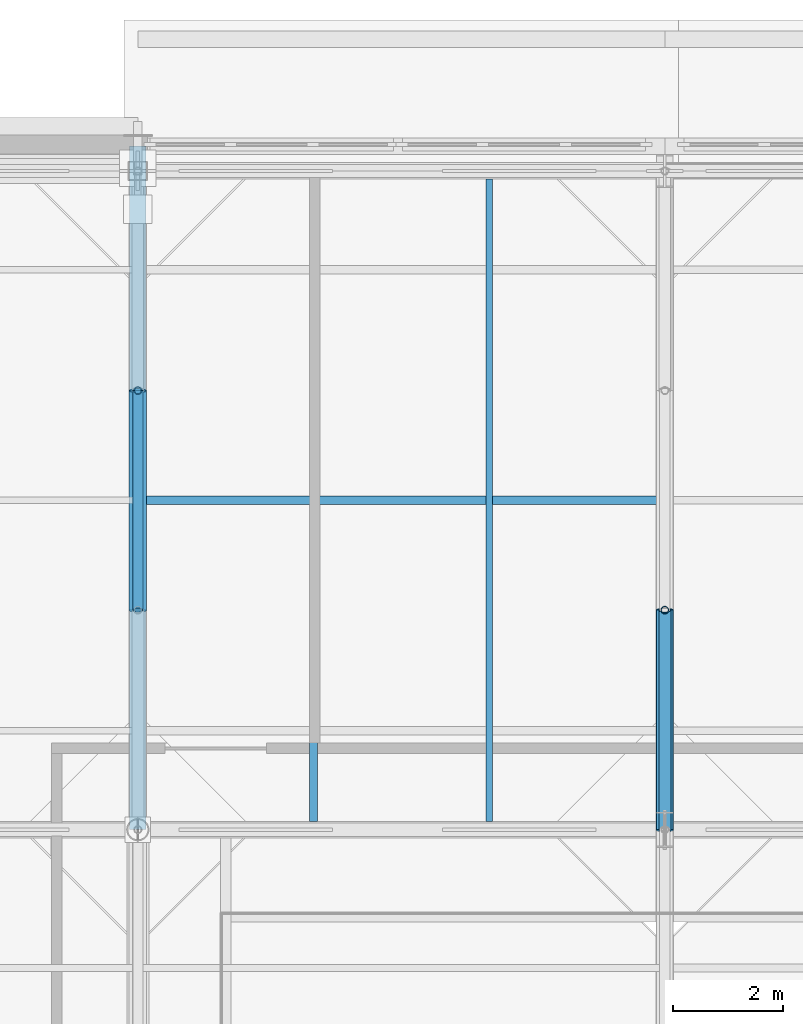
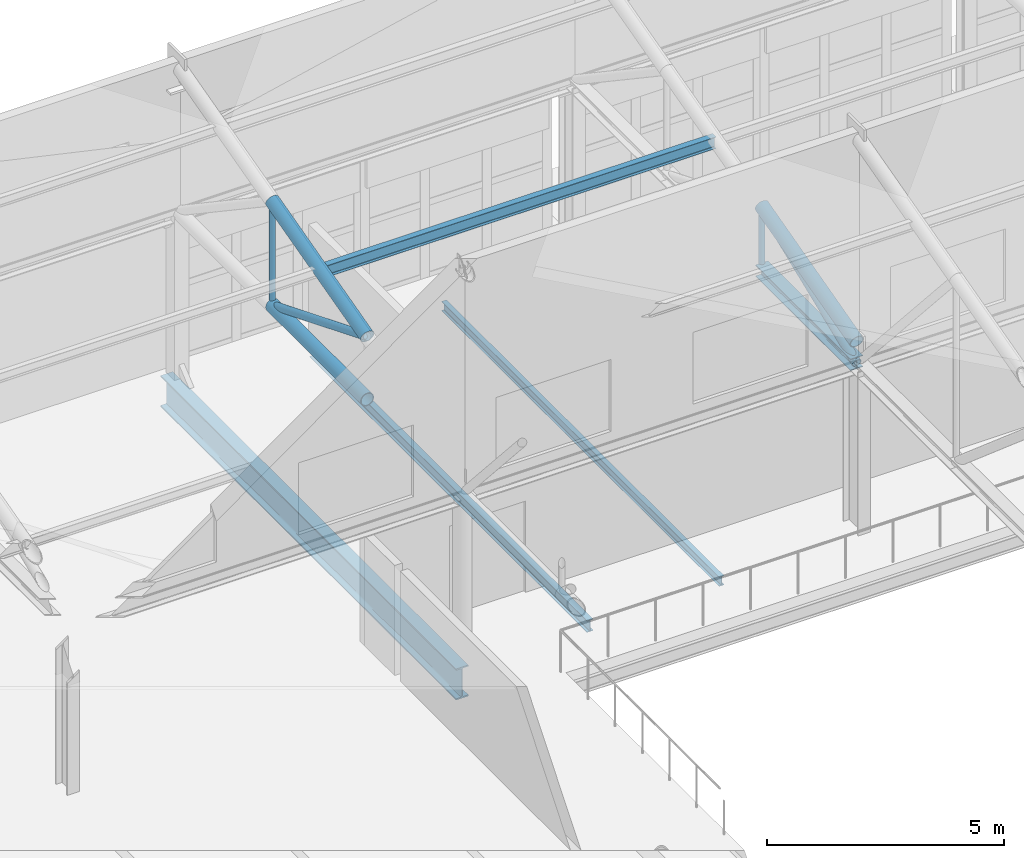
# One storey, part 38 of 89: 9 members, 3 beams.
"""IFC4 building model written with IfcOpenShell, lengths in metres."""

from ifc_helpers import new_model, si_unit, direction, frame, origin, origin_2d, place, context, subcontext, project, spatial, hollow_circle, i_section, extrude, material, material_profile, profile_set, type_object, element, save


model = new_model("IFC4")

# Units and contexts
model_context = context("Model", 3, precision=1e-05, world=origin(), true_north=direction((0.0, 1.0)))
body_context = subcontext(model_context, "Body", "Model", "MODEL_VIEW")
ifc_project = project(units=[si_unit("LENGTHUNIT", "METRE"), si_unit("AREAUNIT", "SQUARE_METRE"), si_unit("VOLUMEUNIT", "CUBIC_METRE"), si_unit("PLANEANGLEUNIT", "RADIAN"), si_unit("MASSUNIT", "GRAM", prefix="KILO")], contexts=[model_context])

# Site, building, storey
site_placement = place(None, origin())
site = spatial("IfcSite", under=ifc_project, at=site_placement, CompositionType="ELEMENT")
building_placement = place(site_placement, origin())
building = spatial("IfcBuilding", under=site, at=building_placement, Name="Zereglee Splitstone Museum", CompositionType="ELEMENT")
storey_placement = place(building_placement, frame((0.0, 0.0, 21.300048828125)))
storey = spatial("IfcBuildingStorey", under=building, at=storey_placement, Name="L04", CompositionType="ELEMENT", Elevation=21.300048828125)

# Members
ifc_material_1 = material(Name="Steel S355J2H", Category="steel")
ifc_material_profile_1 = material_profile(ifc_material_1, hollow_circle(Radius=0.096923828125, WallThickness=0.010009765625, at=origin_2d()), Name="CHS 193.7x10")
ifc_profile_set_1 = profile_set([ifc_material_profile_1], Name="Steel S355J2H")
member_type_1 = type_object("IfcMemberType", Name="TB-04", PredefinedType="BRACE", material=ifc_profile_set_1)
member_1_placement = place(storey_placement, frame((97.199951171875, 46.39990234375, 4.199951171875), z_axis=(0.0, -0.927136001435, 0.374725012299), x_axis=(1.0, 0.0, 0.0)))
element("IfcMember", 1, at=member_1_placement, inside=storey, type_object=member_type_1, Name="Roof Truss ST-03 Diagonal 3.2", PredefinedType="BRACE", context=body_context, shape_type="SweptSolid", body=[
    extrude(hollow_circle(Radius=0.096923828125, WallThickness=0.010009765625, at=origin_2d()), origin(), (0.0, 0.0, 1.0), 4.314453125),
])
ifc_material_profile_2 = material_profile(ifc_material_1, hollow_circle(Radius=0.109619140625, WallThickness=0.010009765625, at=origin_2d()), Name="CHS 219.1x10")
ifc_profile_set_2 = profile_set([ifc_material_profile_2], Name="Steel S355J2H")
member_type_2 = type_object("IfcMemberType", Name="TB-03", PredefinedType="BRACE", material=ifc_profile_set_2)
member_2_placement = place(storey_placement, frame((106.800048828125, 38.39990234375, 4.199951171875), z_axis=(0.0, 0.927136001435, 0.374725012299), x_axis=(-1.0, 0.0, 0.0)))
element("IfcMember", 2, at=member_2_placement, inside=storey, type_object=member_type_2, Name="Roof Truss ST-04 Diagonal 3.1", PredefinedType="BRACE", context=body_context, shape_type="SweptSolid", body=[
    extrude(hollow_circle(Radius=0.109619140625, WallThickness=0.010009765625, at=origin_2d()), origin(), (0.0, 0.0, 1.0), 4.314453125),
])
ifc_material_profile_3 = material_profile(ifc_material_1, hollow_circle(Radius=0.161865234375, WallThickness=0.01611328125, at=origin_2d()), Name="CHS 323.9x16")
ifc_profile_set_3 = profile_set([ifc_material_profile_3], Name="Steel S355J2H")
member_type_3 = type_object("IfcMemberType", Name="TC-05", PredefinedType="CHORD", material=ifc_profile_set_3)
member_3_placement = place(storey_placement, frame((97.199951171875, 42.39990234375, 4.199951171875), z_axis=(0.0, 1.0, 0.0), x_axis=(-1.0, 0.0, 0.0)))
element("IfcMember", 3, at=member_3_placement, inside=storey, type_object=member_type_3, Name="Roof Truss ST-03 Bottom Chord 3.2", PredefinedType="CHORD", context=body_context, shape_type="SweptSolid", body=[
    extrude(hollow_circle(Radius=0.161865234375, WallThickness=0.01611328125, at=origin_2d()), origin(), (0.0, 0.0, 1.0), 4.0),
])
for number, where, z_axis, x_axis, name in (
    (4, (97.199951171875, 42.39990234375, 5.816650390625), (0.0, 0.966235918422, 0.257658979955), (-1.0, 0.0, 0.0), "Roof Truss ST-03 Top Chord 3.2"),
    (5, (106.800048828125, 38.39990234375, 4.75), (0.0, 0.966235918422, 0.257658979955), (-1.0, 0.0, 0.0), "Roof Truss ST-04 Top Chord 3.1"),
):
    element("IfcMember", number, at=place(storey_placement, frame(where, z_axis=z_axis, x_axis=x_axis)), inside=storey, type_object=member_type_3, Name=name, PredefinedType="CHORD", context=body_context, shape_type="SweptSolid", body=[
        extrude(hollow_circle(Radius=0.161865234375, WallThickness=0.01611328125, at=origin_2d()), origin(), (0.0, 0.0, 1.0), 4.139892578125),
    ])
ifc_material_2 = material(Name="Steel S355J2", Category="steel")
ifc_material_profile_4 = material_profile(ifc_material_2, i_section(OverallWidth=0.300048828125, OverallDepth=0.300048828125, WebThickness=0.010986328125, FlangeThickness=0.01904296875, FilletRadius=0.027099609375, at=origin_2d()), Name="HE 300 B")
ifc_profile_set_4 = profile_set([ifc_material_profile_4], Name="Steel S355J2")
member_type_4 = type_object("IfcMemberType", Name="TC-07", PredefinedType="CHORD", material=ifc_profile_set_4)
member_4_placement = place(storey_placement, frame((106.800048828125, 38.39990234375, 4.199951171875), z_axis=(0.0, 1.0, 0.0), x_axis=(-1.0, 0.0, 0.0)))
element("IfcMember", 6, at=member_4_placement, inside=storey, type_object=member_type_4, Name="Roof Truss ST-04 Bottom Chord 3.1", PredefinedType="CHORD", context=body_context, shape_type="SweptSolid", body=[
    extrude(i_section(OverallWidth=0.300048828125, OverallDepth=0.300048828125, WebThickness=0.010986328125, FlangeThickness=0.01904296875, FilletRadius=0.027099609375, at=origin_2d()), origin(), (0.0, 0.0, 1.0), 4.0),
])

# Beams
ifc_material_profile_5 = material_profile(ifc_material_2, i_section(OverallWidth=0.300048828125, OverallDepth=0.800048828125, WebThickness=0.017578125, FlangeThickness=0.032958984375, FilletRadius=0.030029296875, at=origin_2d()), Name="HE 800 B")
ifc_profile_set_5 = profile_set([ifc_material_profile_5], Name="Steel S355J2")
beam_type_1 = type_object("IfcBeamType", Name="BG-07", PredefinedType="BEAM", material=ifc_profile_set_5)
beam_1_placement = place(storey_placement, frame((97.199951171875, 38.39990234375, -0.66015625), z_axis=(0.0, 1.0, 0.0), x_axis=(-1.0, 0.0, 0.0)))
element("IfcBeam", 7, at=beam_1_placement, inside=storey, type_object=beam_type_1, Name="Primary Girder L04 12 (38.4-50.9)", PredefinedType="BEAM", context=body_context, shape_type="SweptSolid", body=[
    extrude(i_section(OverallWidth=0.300048828125, OverallDepth=0.800048828125, WebThickness=0.017578125, FlangeThickness=0.032958984375, FilletRadius=0.030029296875, at=origin_2d()), origin(), (0.0, 0.0, 1.0), 12.4501953125),
])
ifc_material_profile_6 = material_profile(ifc_material_2, i_section(OverallWidth=0.1201171875, OverallDepth=0.239990234375, WebThickness=0.006103515625, FlangeThickness=0.009765625, FilletRadius=0.014892578125, at=origin_2d()), Name="IPE 240")
ifc_profile_set_6 = profile_set([ifc_material_profile_6], Name="Steel S355J2")
beam_type_2 = type_object("IfcBeamType", Name="BJ-07", PredefinedType="JOIST", material=ifc_profile_set_6)
beam_2_placement = place(storey_placement, frame((103.60009765625, 38.550048828125, -0.380126953125), z_axis=(0.0, 1.0, 0.0), x_axis=(-1.0, 0.0, 0.0)))
element("IfcBeam", 8, at=beam_2_placement, inside=storey, type_object=beam_type_2, Name="Secondary Floor Joist L04-1553", PredefinedType="JOIST", context=body_context, shape_type="SweptSolid", body=[
    extrude(i_section(OverallWidth=0.1201171875, OverallDepth=0.239990234375, WebThickness=0.006103515625, FlangeThickness=0.009765625, FilletRadius=0.014892578125, at=origin_2d()), origin(), (0.0, 0.0, 1.0), 11.699951171875),
])
ifc_material_profile_7 = material_profile(ifc_material_2, i_section(OverallWidth=0.14990234375, OverallDepth=0.300048828125, WebThickness=0.007080078125, FlangeThickness=0.0107421875, FilletRadius=0.014892578125, at=origin_2d()), Name="IPE 300")
ifc_profile_set_7 = profile_set([ifc_material_profile_7], Name="Steel S355J2")
beam_type_3 = type_object("IfcBeamType", Name="BJ-06", PredefinedType="JOIST", material=ifc_profile_set_7)
beam_3_placement = place(storey_placement, frame((100.39990234375, 38.550048828125, -0.41015625), z_axis=(0.0, 1.0, 0.0), x_axis=(-1.0, 0.0, 0.0)))
element("IfcBeam", 9, at=beam_3_placement, inside=storey, type_object=beam_type_3, Name="Secondary Floor Joist L04-1552", PredefinedType="JOIST", context=body_context, shape_type="SweptSolid", body=[
    extrude(i_section(OverallWidth=0.14990234375, OverallDepth=0.300048828125, WebThickness=0.007080078125, FlangeThickness=0.0107421875, FilletRadius=0.014892578125, at=origin_2d()), origin(), (0.0, 0.0, 1.0), 11.699951171875),
])

# Members
ifc_material_profile_8 = material_profile(ifc_material_1, hollow_circle(Radius=0.06982421875, WallThickness=0.008056640625, at=origin_2d()), Name="CHS 139.7x8")
ifc_profile_set_8 = profile_set([ifc_material_profile_8], Name="Steel S355J2H")
member_type_5 = type_object("IfcMemberType", Name="TP-03", PredefinedType="POST", material=ifc_profile_set_8)
member_5_placement = place(storey_placement, frame((97.199951171875, 46.39990234375, 4.199951171875), z_axis=(0.0, 0.0, 1.0), x_axis=(1.0, 0.0, 0.0)))
element("IfcMember", 10, at=member_5_placement, inside=storey, type_object=member_type_5, Name="Roof Truss ST-03 Post 3.2", PredefinedType="POST", context=body_context, shape_type="SweptSolid", body=[
    extrude(hollow_circle(Radius=0.06982421875, WallThickness=0.008056640625, at=origin_2d()), origin(), (0.0, 0.0, 1.0), 2.683349609375),
])
member_6_placement = place(storey_placement, frame((106.800048828125, 42.39990234375, 4.199951171875), z_axis=(0.0, 0.0, 1.0), x_axis=(1.0, 0.0, 0.0)))
element("IfcMember", 11, at=member_6_placement, inside=storey, type_object=member_type_5, Name="Roof Truss ST-04 Post 3.1", PredefinedType="POST", context=body_context, shape_type="SweptSolid", body=[
    extrude(hollow_circle(Radius=0.06982421875, WallThickness=0.008056640625, at=origin_2d()), origin(), (0.0, 0.0, 1.0), 1.61669921875),
])
ifc_material_profile_9 = material_profile(ifc_material_2, i_section(OverallWidth=0.14990234375, OverallDepth=0.300048828125, WebThickness=0.007080078125, FlangeThickness=0.0107421875, FilletRadius=0.014892578125, at=origin_2d()), Name="IPE 300")
ifc_profile_set_9 = profile_set([ifc_material_profile_9], Name="Steel S355J2")
member_type_6 = type_object("IfcMemberType", Name="PR-01", PredefinedType="PURLIN", material=ifc_profile_set_9)
member_7_placement = place(storey_placement, frame((97.199951171875, 44.39990234375, 6.273193359375), z_axis=(1.0, 0.0, 0.0), x_axis=(0.0, 1.0, 0.0)))
element("IfcMember", 12, at=member_7_placement, inside=storey, type_object=member_type_6, Name="Sawtooth Roof Purlin B3-S3-2", PredefinedType="PURLIN", context=body_context, shape_type="SweptSolid", body=[
    extrude(i_section(OverallWidth=0.14990234375, OverallDepth=0.300048828125, WebThickness=0.007080078125, FlangeThickness=0.0107421875, FilletRadius=0.014892578125, at=origin_2d()), origin(), (0.0, 0.0, 1.0), 9.60009765625),
])

save(model, "model.ifc")
